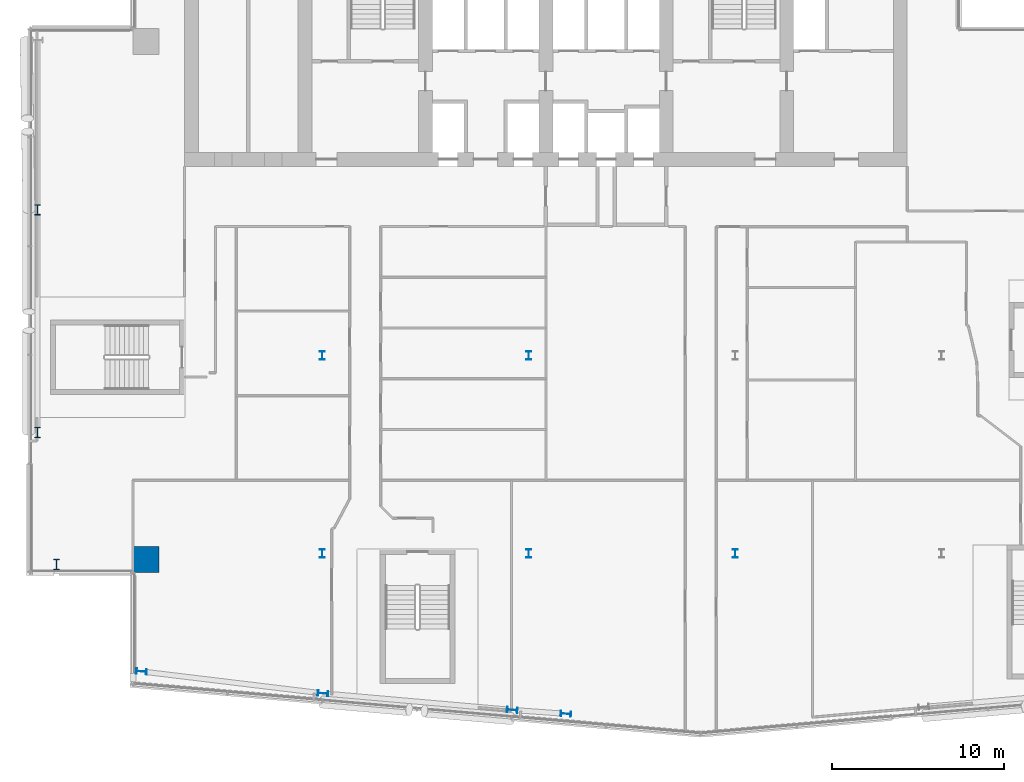
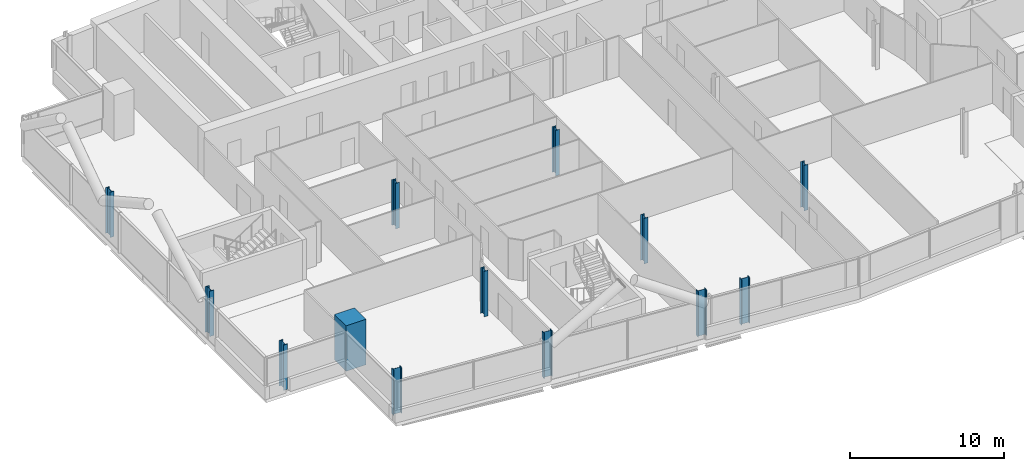
# One storey, part 1 of 26: 13 columns.
"""IFC4 building model written with IfcOpenShell, lengths in metres."""

from ifc_helpers import new_model, si_unit, direction, frame, origin, origin_2d, place, context, subcontext, project, spatial, rectangle, i_section, extrude, material, material_profile, profile_set, type_object, element, save


model = new_model("IFC4")

# Units and contexts
model_context = context("Model", 3, precision=1e-05, world=origin(), true_north=direction((0.0, 1.0)))
body_context = subcontext(model_context, "Body", "Model", "MODEL_VIEW")
ifc_project = project(units=[si_unit("LENGTHUNIT", "METRE"), si_unit("AREAUNIT", "SQUARE_METRE"), si_unit("VOLUMEUNIT", "CUBIC_METRE"), si_unit("PLANEANGLEUNIT", "RADIAN"), si_unit("MASSUNIT", "GRAM", prefix="KILO")], contexts=[model_context])

# Site, building, storey
site_placement = place(None, origin())
site = spatial("IfcSite", under=ifc_project, at=site_placement, CompositionType="ELEMENT")
building_placement = place(site_placement, origin())
building = spatial("IfcBuilding", under=site, at=building_placement, Name="Wharfspan Tower", CompositionType="ELEMENT")
storey_placement = place(building_placement, frame((0.0, 0.0, 169.899902)))
storey = spatial("IfcBuildingStorey", under=building, at=storey_placement, Name="L41", CompositionType="ELEMENT", Elevation=169.899902)

# Columns
ifc_material_1 = material(Name="Steel S355J2", Category="steel")
ifc_material_profile_1 = material_profile(ifc_material_1, i_section(OverallWidth=0.300049, OverallDepth=0.5, WebThickness=0.014404, FlangeThickness=0.028076, FilletRadius=0.0271, at=origin_2d()))
ifc_profile_set_1 = profile_set([ifc_material_profile_1], Name="Steel S355J2")
column_type_1 = type_object("IfcColumnType", Name="Column HEB 500", PredefinedType="COLUMN", material=ifc_profile_set_1)
for number, where, z_axis, x_axis, name in (
    (1, (24.0, 11.5, 0.0), (0.0, 0.0, 1.0), (1.0, 0.0, 0.0), "Interior column I.1.1 L41"),
    (2, (36.0, 11.5, 0.0), (0.0, 0.0, 1.0), (1.0, 0.0, 0.0), "Interior column I.1.2 L41"),
    (3, (48.0, 11.5, 0.0), (0.0, 0.0, 1.0), (1.0, 0.0, 0.0), "Interior column I.1.3 L41"),
    (4, (24.0, 23.0, 0.0), (0.0, 0.0, 1.0), (1.0, 0.0, 0.0), "Interior column I.2.1 L41"),
    (5, (36.0, 23.0, 0.0), (0.0, 0.0, 1.0), (1.0, 0.0, 0.0), "Interior column I.2.2 L41"),
):
    element("IfcColumn", number, at=place(storey_placement, frame(where, z_axis=z_axis, x_axis=x_axis)), inside=storey, type_object=column_type_1, Name=name, PredefinedType="COLUMN", context=body_context, shape_type="SweptSolid", body=[
        extrude(i_section(OverallWidth=0.300049, OverallDepth=0.5, WebThickness=0.014404, FlangeThickness=0.028076, FilletRadius=0.0271, at=origin_2d()), origin(), (0.0, 0.0, 1.0), 3.600098),
    ])
ifc_material_profile_2 = material_profile(ifc_material_1, i_section(OverallWidth=0.304932, OverallDepth=0.620117, WebThickness=0.020996, FlangeThickness=0.040039, FilletRadius=0.0271, at=origin_2d()))
ifc_profile_set_2 = profile_set([ifc_material_profile_2], Name="Steel S355J2")
column_type_2 = type_object("IfcColumnType", Name="Column HEM 600", PredefinedType="COLUMN", material=ifc_profile_set_2)
for number, where, z_axis, x_axis, name in (
    (6, (13.490723, 4.637451, 0.0), (0.0, 0.0, 1.0), (-0.087156, -0.996198, 0.0), "Perimeter column PS1.1 L41"),
    (7, (24.039307, 3.361084, 0.0), (0.0, 0.0, 1.0), (-0.087156, -0.996198, 0.0), "Perimeter column PS1.2 L41"),
    (8, (35.039307, 2.398682, 0.0), (0.0, 0.0, 1.0), (-0.087156, -0.996198, 0.0), "Perimeter column PS1.3 L41"),
    (9, (38.161133, 2.174072, 0.0), (0.0, 0.0, 1.0), (-0.087156, -0.996198, 0.0), "Perimeter column PS1.4 L41"),
    (10, (7.449951, 31.466553, 0.0), (0.0, 0.0, 1.0), (-1.0, 0.0, 0.0), "Perimeter column PW.1 L41"),
    (11, (7.449951, 18.533447, 0.0), (0.0, 0.0, 1.0), (-1.0, 0.0, 0.0), "Perimeter column PW.2 L41"),
    (12, (8.560791, 10.854004, 0.0), (0.0, 0.0, 1.0), (-1.0, 0.0, 0.0), "Perimeter column PW.3 L41"),
):
    element("IfcColumn", number, at=place(storey_placement, frame(where, z_axis=z_axis, x_axis=x_axis)), inside=storey, type_object=column_type_2, Name=name, PredefinedType="COLUMN", context=body_context, shape_type="SweptSolid", body=[
        extrude(i_section(OverallWidth=0.304932, OverallDepth=0.620117, WebThickness=0.020996, FlangeThickness=0.040039, FilletRadius=0.0271, at=origin_2d()), origin(), (0.0, 0.0, 1.0), 3.600098),
    ])
ifc_material_2 = material(Name="Concrete C60/75", Category="concrete")
ifc_material_profile_3 = material_profile(ifc_material_2, rectangle(XDim=1.5, YDim=1.5, at=origin_2d()))
ifc_profile_set_3 = profile_set([ifc_material_profile_3], Name="Concrete C60/75")
column_type_3 = type_object("IfcColumnType", Name="Mega column 1500 C60/75", PredefinedType="COLUMN", material=ifc_profile_set_3)
column_placement = place(storey_placement, frame((13.75, 11.149902, 0.0), z_axis=(0.0, 0.0, 1.0), x_axis=(1.0, 0.0, 0.0)))
element("IfcColumn", 13, at=column_placement, inside=storey, type_object=column_type_3, Name="Mega column MC1 L41", PredefinedType="COLUMN", context=body_context, shape_type="SweptSolid", body=[
    extrude(rectangle(XDim=1.5, YDim=1.5, at=origin_2d()), origin(), (0.0, 0.0, 1.0), 3.600098),
])

save(model, "model.ifc")
